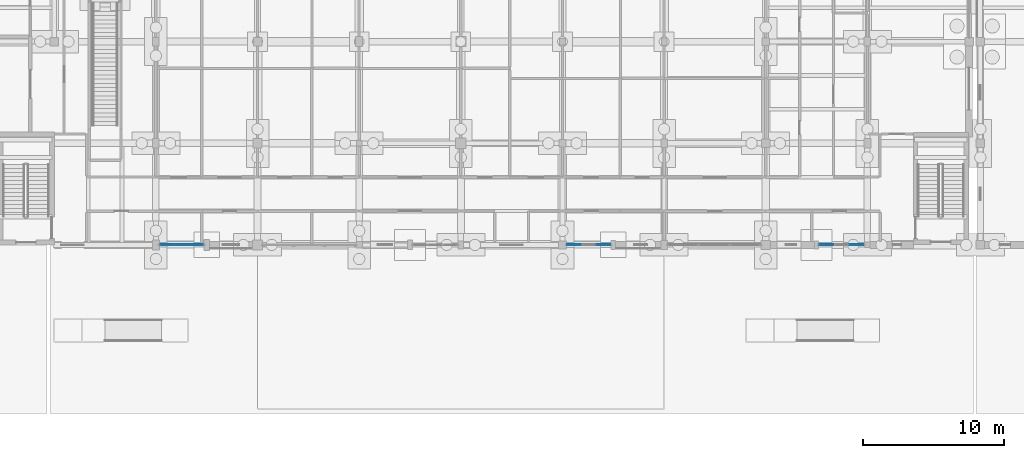
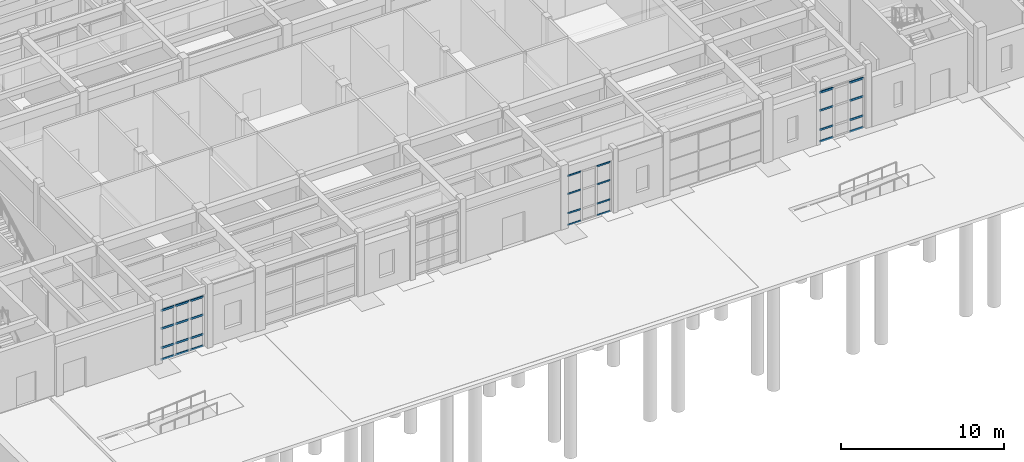
# One storey, part 76 of 143: 28 members, 3 elements without a shape of their own.
"""IFC4 building model written with IfcOpenShell, lengths in metres."""

from ifc_helpers import new_model, si_unit, direction, frame, origin, origin_2d, place, context, subcontext, project, spatial, rectangle, extrude, material, material_profile, profile_set, type_object, element, aggregate, save


model = new_model("IFC4")

# Units and contexts
model_context = context("Model", 3, precision=1e-05, world=origin(), true_north=direction((0.0, 1.0)))
body_context = subcontext(model_context, "Body", "Model", "MODEL_VIEW")
ifc_project = project(units=[si_unit("LENGTHUNIT", "METRE"), si_unit("AREAUNIT", "SQUARE_METRE"), si_unit("VOLUMEUNIT", "CUBIC_METRE"), si_unit("PLANEANGLEUNIT", "RADIAN"), si_unit("MASSUNIT", "GRAM", prefix="KILO")], contexts=[model_context])

# Site, building, storey
site_placement = place(None, origin())
site = spatial("IfcSite", under=ifc_project, at=site_placement, CompositionType="ELEMENT")
building_placement = place(site_placement, origin())
building = spatial("IfcBuilding", under=site, at=building_placement, Name="Steenspoor Specialist Clinic", CompositionType="ELEMENT")
storey_placement = place(building_placement, origin())
storey = spatial("IfcBuildingStorey", under=building, at=storey_placement, Name="L00", CompositionType="ELEMENT", Elevation=0.0)

# Curtain wall, members
ifc_material_1 = material(Name="Thermally broken aluminium and low-emissivity glass", Category="aluminium")
curtain_wall_type_1 = type_object("IfcCurtainWallType", Name="CW-HALL-480X820", PredefinedType="USERDEFINED", material=ifc_material_1)
curtain_wall_1_placement = place(storey_placement, origin())
curtain_wall_1 = element("IfcCurtainWall", 1, at=curtain_wall_1_placement, inside=storey, type_object=curtain_wall_type_1, Name="Unitised Curtain Wall CW-V1-L00-003", ObjectType="UNITISED GLAZING", PredefinedType="USERDEFINED")
ifc_material_2 = material(Name="Thermally broken aluminium 6063-T6", Category="aluminium")
ifc_material_profile_1 = material_profile(ifc_material_2, rectangle(XDim=0.06005859375, YDim=0.114990234375, at=origin_2d()), Name="CWT-60X115")
ifc_profile_set_1 = profile_set([ifc_material_profile_1], Name="Thermally broken aluminium 6063-T6")
member_type_1 = type_object("IfcMemberType", Name="CW-TRAN-60X115", PredefinedType="USERDEFINED", material=ifc_profile_set_1)
member_1_placement = place(storey_placement, frame((91.784912109375, 13.050048828125, 0.030029296875), z_axis=(-1.0, 0.0, 0.0), x_axis=(0.0, -1.0, 0.0)))
member_1 = element("IfcMember", 2, at=member_1_placement, type_object=member_type_1, Name="CW-03 transom 1.1", ObjectType="TRANSOM", PredefinedType="USERDEFINED", context=body_context, shape_type="SweptSolid", body=[
    extrude(rectangle(XDim=0.06005859375, YDim=0.114990234375, at=origin_2d()), origin(), (0.0, 0.0, 1.0), 0.960693359375),
])
member_2_placement = place(storey_placement, frame((91.784912109375, 13.050048828125, 0.89990234375), z_axis=(-1.0, 0.0, 0.0), x_axis=(0.0, -1.0, 0.0)))
member_2 = element("IfcMember", 3, at=member_2_placement, type_object=member_type_1, Name="CW-03 transom 1.2", ObjectType="TRANSOM", PredefinedType="USERDEFINED", context=body_context, shape_type="SweptSolid", body=[
    extrude(rectangle(XDim=0.06005859375, YDim=0.114990234375, at=origin_2d()), origin(), (0.0, 0.0, 1.0), 0.960693359375),
])
member_3_placement = place(storey_placement, frame((91.784912109375, 13.050048828125, 2.35009765625), z_axis=(-1.0, 0.0, 0.0), x_axis=(0.0, -1.0, 0.0)))
member_3 = element("IfcMember", 4, at=member_3_placement, type_object=member_type_1, Name="CW-03 transom 1.3", ObjectType="TRANSOM", PredefinedType="USERDEFINED", context=body_context, shape_type="SweptSolid", body=[
    extrude(rectangle(XDim=0.06005859375, YDim=0.114990234375, at=origin_2d()), origin(), (0.0, 0.0, 1.0), 0.960693359375),
])
member_4_placement = place(storey_placement, frame((91.784912109375, 13.050048828125, 3.699951171875), z_axis=(-1.0, 0.0, 0.0), x_axis=(0.0, -1.0, 0.0)))
member_4 = element("IfcMember", 5, at=member_4_placement, type_object=member_type_1, Name="CW-03 transom 1.4", ObjectType="TRANSOM", PredefinedType="USERDEFINED", context=body_context, shape_type="SweptSolid", body=[
    extrude(rectangle(XDim=0.06005859375, YDim=0.114990234375, at=origin_2d()), origin(), (0.0, 0.0, 1.0), 0.960693359375),
])
member_5_placement = place(storey_placement, frame((89.700927734375, 13.050048828125, 0.030029296875), z_axis=(-1.0, 0.0, 0.0), x_axis=(0.0, -1.0, 0.0)))
member_5 = element("IfcMember", 6, at=member_5_placement, type_object=member_type_1, Name="CW-03 transom 3.1", ObjectType="TRANSOM", PredefinedType="USERDEFINED", context=body_context, shape_type="SweptSolid", body=[
    extrude(rectangle(XDim=0.06005859375, YDim=0.114990234375, at=origin_2d()), origin(), (0.0, 0.0, 1.0), 0.9609375),
])
member_6_placement = place(storey_placement, frame((89.700927734375, 13.050048828125, 0.89990234375), z_axis=(-1.0, 0.0, 0.0), x_axis=(0.0, -1.0, 0.0)))
member_6 = element("IfcMember", 7, at=member_6_placement, type_object=member_type_1, Name="CW-03 transom 3.2", ObjectType="TRANSOM", PredefinedType="USERDEFINED", context=body_context, shape_type="SweptSolid", body=[
    extrude(rectangle(XDim=0.06005859375, YDim=0.114990234375, at=origin_2d()), origin(), (0.0, 0.0, 1.0), 0.9609375),
])
member_7_placement = place(storey_placement, frame((89.700927734375, 13.050048828125, 2.35009765625), z_axis=(-1.0, 0.0, 0.0), x_axis=(0.0, -1.0, 0.0)))
member_7 = element("IfcMember", 8, at=member_7_placement, type_object=member_type_1, Name="CW-03 transom 3.3", ObjectType="TRANSOM", PredefinedType="USERDEFINED", context=body_context, shape_type="SweptSolid", body=[
    extrude(rectangle(XDim=0.06005859375, YDim=0.114990234375, at=origin_2d()), origin(), (0.0, 0.0, 1.0), 0.9609375),
])
member_8_placement = place(storey_placement, frame((89.700927734375, 13.050048828125, 3.699951171875), z_axis=(-1.0, 0.0, 0.0), x_axis=(0.0, -1.0, 0.0)))
member_8 = element("IfcMember", 9, at=member_8_placement, type_object=member_type_1, Name="CW-03 transom 3.4", ObjectType="TRANSOM", PredefinedType="USERDEFINED", context=body_context, shape_type="SweptSolid", body=[
    extrude(rectangle(XDim=0.06005859375, YDim=0.114990234375, at=origin_2d()), origin(), (0.0, 0.0, 1.0), 0.9609375),
])
aggregate(curtain_wall_1, [member_1, member_2, member_3, member_4, member_5, member_6, member_7, member_8])

curtain_wall_type_2 = type_object("IfcCurtainWallType", Name="CW-HALL-660X820", PredefinedType="USERDEFINED", material=ifc_material_1)
curtain_wall_2_placement = place(storey_placement, origin())
curtain_wall_2 = element("IfcCurtainWall", 10, at=curtain_wall_2_placement, inside=storey, type_object=curtain_wall_type_2, Name="Unitised Curtain Wall CW-V1-L00-001", ObjectType="UNITISED GLAZING", PredefinedType="USERDEFINED")
ifc_material_profile_2 = material_profile(ifc_material_2, rectangle(XDim=0.070068359375, YDim=0.14501953125, at=origin_2d()), Name="CWT-70X145")
ifc_profile_set_2 = profile_set([ifc_material_profile_2], Name="Thermally broken aluminium 6063-T6")
member_type_2 = type_object("IfcMemberType", Name="CW-TRAN-70X145", PredefinedType="USERDEFINED", material=ifc_profile_set_2)
member_9_placement = place(storey_placement, frame((109.719970703125, 13.050048828125, 0.034912109375), z_axis=(-1.0, 0.0, 0.0), x_axis=(0.0, -1.0, 0.0)))
member_9 = element("IfcMember", 11, at=member_9_placement, type_object=member_type_2, Name="CW-01 transom 1.1", ObjectType="TRANSOM", PredefinedType="USERDEFINED", context=body_context, shape_type="SweptSolid", body=[
    extrude(rectangle(XDim=0.070068359375, YDim=0.14501953125, at=origin_2d()), origin(), (0.0, 0.0, 1.0), 0.966552734375),
])
member_10_placement = place(storey_placement, frame((109.719970703125, 13.050048828125, 0.89990234375), z_axis=(-1.0, 0.0, 0.0), x_axis=(0.0, -1.0, 0.0)))
member_10 = element("IfcMember", 12, at=member_10_placement, type_object=member_type_2, Name="CW-01 transom 1.2", ObjectType="TRANSOM", PredefinedType="USERDEFINED", context=body_context, shape_type="SweptSolid", body=[
    extrude(rectangle(XDim=0.070068359375, YDim=0.14501953125, at=origin_2d()), origin(), (0.0, 0.0, 1.0), 0.966552734375),
])
member_11_placement = place(storey_placement, frame((109.719970703125, 13.050048828125, 2.35009765625), z_axis=(-1.0, 0.0, 0.0), x_axis=(0.0, -1.0, 0.0)))
member_11 = element("IfcMember", 13, at=member_11_placement, type_object=member_type_2, Name="CW-01 transom 1.3", ObjectType="TRANSOM", PredefinedType="USERDEFINED", context=body_context, shape_type="SweptSolid", body=[
    extrude(rectangle(XDim=0.070068359375, YDim=0.14501953125, at=origin_2d()), origin(), (0.0, 0.0, 1.0), 0.966552734375),
])
member_12_placement = place(storey_placement, frame((109.719970703125, 13.050048828125, 3.695068359375), z_axis=(-1.0, 0.0, 0.0), x_axis=(0.0, -1.0, 0.0)))
member_12 = element("IfcMember", 14, at=member_12_placement, type_object=member_type_2, Name="CW-01 transom 1.4", ObjectType="TRANSOM", PredefinedType="USERDEFINED", context=body_context, shape_type="SweptSolid", body=[
    extrude(rectangle(XDim=0.070068359375, YDim=0.14501953125, at=origin_2d()), origin(), (0.0, 0.0, 1.0), 0.966552734375),
])
member_13_placement = place(storey_placement, frame((107.586669921875, 13.050048828125, 0.034912109375), z_axis=(-1.0, 0.0, 0.0), x_axis=(0.0, -1.0, 0.0)))
member_13 = element("IfcMember", 15, at=member_13_placement, type_object=member_type_2, Name="CW-01 transom 3.1", ObjectType="TRANSOM", PredefinedType="USERDEFINED", context=body_context, shape_type="SweptSolid", body=[
    extrude(rectangle(XDim=0.070068359375, YDim=0.14501953125, at=origin_2d()), origin(), (0.0, 0.0, 1.0), 0.966552734375),
])
member_14_placement = place(storey_placement, frame((107.586669921875, 13.050048828125, 0.89990234375), z_axis=(-1.0, 0.0, 0.0), x_axis=(0.0, -1.0, 0.0)))
member_14 = element("IfcMember", 16, at=member_14_placement, type_object=member_type_2, Name="CW-01 transom 3.2", ObjectType="TRANSOM", PredefinedType="USERDEFINED", context=body_context, shape_type="SweptSolid", body=[
    extrude(rectangle(XDim=0.070068359375, YDim=0.14501953125, at=origin_2d()), origin(), (0.0, 0.0, 1.0), 0.966552734375),
])
member_15_placement = place(storey_placement, frame((107.586669921875, 13.050048828125, 2.35009765625), z_axis=(-1.0, 0.0, 0.0), x_axis=(0.0, -1.0, 0.0)))
member_15 = element("IfcMember", 17, at=member_15_placement, type_object=member_type_2, Name="CW-01 transom 3.3", ObjectType="TRANSOM", PredefinedType="USERDEFINED", context=body_context, shape_type="SweptSolid", body=[
    extrude(rectangle(XDim=0.070068359375, YDim=0.14501953125, at=origin_2d()), origin(), (0.0, 0.0, 1.0), 0.966552734375),
])
member_16_placement = place(storey_placement, frame((107.586669921875, 13.050048828125, 3.695068359375), z_axis=(-1.0, 0.0, 0.0), x_axis=(0.0, -1.0, 0.0)))
member_16 = element("IfcMember", 18, at=member_16_placement, type_object=member_type_2, Name="CW-01 transom 3.4", ObjectType="TRANSOM", PredefinedType="USERDEFINED", context=body_context, shape_type="SweptSolid", body=[
    extrude(rectangle(XDim=0.070068359375, YDim=0.14501953125, at=origin_2d()), origin(), (0.0, 0.0, 1.0), 0.966552734375),
])
aggregate(curtain_wall_2, [member_9, member_10, member_11, member_12, member_13, member_14, member_15, member_16])

curtain_wall_type_3 = type_object("IfcCurtainWallType", Name="CW-L00-480X415", PredefinedType="USERDEFINED", material=ifc_material_1)
curtain_wall_3_placement = place(storey_placement, origin())
curtain_wall_3 = element("IfcCurtainWall", 19, at=curtain_wall_3_placement, inside=storey, type_object=curtain_wall_type_3, Name="Unitised Curtain Wall CW-V1-L00-006", ObjectType="UNITISED GLAZING", PredefinedType="USERDEFINED")
member_17_placement = place(storey_placement, frame((62.929931640625, 13.050048828125, 0.034912109375), z_axis=(-1.0, 0.0, 0.0), x_axis=(0.0, -1.0, 0.0)))
member_17 = element("IfcMember", 20, at=member_17_placement, type_object=member_type_2, Name="CW-06 transom 1.1", ObjectType="TRANSOM", PredefinedType="USERDEFINED", context=body_context, shape_type="SweptSolid", body=[
    extrude(rectangle(XDim=0.070068359375, YDim=0.14501953125, at=origin_2d()), origin(), (0.0, 0.0, 1.0), 0.933349609375),
])
member_18_placement = place(storey_placement, frame((62.929931640625, 13.050048828125, 0.89990234375), z_axis=(-1.0, 0.0, 0.0), x_axis=(0.0, -1.0, 0.0)))
member_18 = element("IfcMember", 21, at=member_18_placement, type_object=member_type_2, Name="CW-06 transom 1.2", ObjectType="TRANSOM", PredefinedType="USERDEFINED", context=body_context, shape_type="SweptSolid", body=[
    extrude(rectangle(XDim=0.070068359375, YDim=0.14501953125, at=origin_2d()), origin(), (0.0, 0.0, 1.0), 0.933349609375),
])
member_19_placement = place(storey_placement, frame((62.929931640625, 13.050048828125, 2.35009765625), z_axis=(-1.0, 0.0, 0.0), x_axis=(0.0, -1.0, 0.0)))
member_19 = element("IfcMember", 22, at=member_19_placement, type_object=member_type_2, Name="CW-06 transom 1.3", ObjectType="TRANSOM", PredefinedType="USERDEFINED", context=body_context, shape_type="SweptSolid", body=[
    extrude(rectangle(XDim=0.070068359375, YDim=0.14501953125, at=origin_2d()), origin(), (0.0, 0.0, 1.0), 0.933349609375),
])
member_20_placement = place(storey_placement, frame((62.929931640625, 13.050048828125, 3.695068359375), z_axis=(-1.0, 0.0, 0.0), x_axis=(0.0, -1.0, 0.0)))
member_20 = element("IfcMember", 23, at=member_20_placement, type_object=member_type_2, Name="CW-06 transom 1.4", ObjectType="TRANSOM", PredefinedType="USERDEFINED", context=body_context, shape_type="SweptSolid", body=[
    extrude(rectangle(XDim=0.070068359375, YDim=0.14501953125, at=origin_2d()), origin(), (0.0, 0.0, 1.0), 0.933349609375),
])
member_21_placement = place(storey_placement, frame((61.916748046875, 13.050048828125, 0.034912109375), z_axis=(-1.0, 0.0, 0.0), x_axis=(0.0, -1.0, 0.0)))
member_21 = element("IfcMember", 24, at=member_21_placement, type_object=member_type_2, Name="CW-06 transom 2.1", ObjectType="TRANSOM", PredefinedType="USERDEFINED", context=body_context, shape_type="SweptSolid", body=[
    extrude(rectangle(XDim=0.070068359375, YDim=0.14501953125, at=origin_2d()), origin(), (0.0, 0.0, 1.0), 0.973388671875),
])
member_22_placement = place(storey_placement, frame((61.916748046875, 13.050048828125, 0.89990234375), z_axis=(-1.0, 0.0, 0.0), x_axis=(0.0, -1.0, 0.0)))
member_22 = element("IfcMember", 25, at=member_22_placement, type_object=member_type_2, Name="CW-06 transom 2.2", ObjectType="TRANSOM", PredefinedType="USERDEFINED", context=body_context, shape_type="SweptSolid", body=[
    extrude(rectangle(XDim=0.070068359375, YDim=0.14501953125, at=origin_2d()), origin(), (0.0, 0.0, 1.0), 0.973388671875),
])
member_23_placement = place(storey_placement, frame((61.916748046875, 13.050048828125, 2.35009765625), z_axis=(-1.0, 0.0, 0.0), x_axis=(0.0, -1.0, 0.0)))
member_23 = element("IfcMember", 26, at=member_23_placement, type_object=member_type_2, Name="CW-06 transom 2.3", ObjectType="TRANSOM", PredefinedType="USERDEFINED", context=body_context, shape_type="SweptSolid", body=[
    extrude(rectangle(XDim=0.070068359375, YDim=0.14501953125, at=origin_2d()), origin(), (0.0, 0.0, 1.0), 0.973388671875),
])
member_24_placement = place(storey_placement, frame((61.916748046875, 13.050048828125, 3.695068359375), z_axis=(-1.0, 0.0, 0.0), x_axis=(0.0, -1.0, 0.0)))
member_24 = element("IfcMember", 27, at=member_24_placement, type_object=member_type_2, Name="CW-06 transom 2.4", ObjectType="TRANSOM", PredefinedType="USERDEFINED", context=body_context, shape_type="SweptSolid", body=[
    extrude(rectangle(XDim=0.070068359375, YDim=0.14501953125, at=origin_2d()), origin(), (0.0, 0.0, 1.0), 0.973388671875),
])
member_25_placement = place(storey_placement, frame((60.86328125, 13.050048828125, 0.034912109375), z_axis=(-1.0, 0.0, 0.0), x_axis=(0.0, -1.0, 0.0)))
member_25 = element("IfcMember", 28, at=member_25_placement, type_object=member_type_2, Name="CW-06 transom 3.1", ObjectType="TRANSOM", PredefinedType="USERDEFINED", context=body_context, shape_type="SweptSolid", body=[
    extrude(rectangle(XDim=0.070068359375, YDim=0.14501953125, at=origin_2d()), origin(), (0.0, 0.0, 1.0), 0.933349609375),
])
member_26_placement = place(storey_placement, frame((60.86328125, 13.050048828125, 0.89990234375), z_axis=(-1.0, 0.0, 0.0), x_axis=(0.0, -1.0, 0.0)))
member_26 = element("IfcMember", 29, at=member_26_placement, type_object=member_type_2, Name="CW-06 transom 3.2", ObjectType="TRANSOM", PredefinedType="USERDEFINED", context=body_context, shape_type="SweptSolid", body=[
    extrude(rectangle(XDim=0.070068359375, YDim=0.14501953125, at=origin_2d()), origin(), (0.0, 0.0, 1.0), 0.933349609375),
])
member_27_placement = place(storey_placement, frame((60.86328125, 13.050048828125, 2.35009765625), z_axis=(-1.0, 0.0, 0.0), x_axis=(0.0, -1.0, 0.0)))
member_27 = element("IfcMember", 30, at=member_27_placement, type_object=member_type_2, Name="CW-06 transom 3.3", ObjectType="TRANSOM", PredefinedType="USERDEFINED", context=body_context, shape_type="SweptSolid", body=[
    extrude(rectangle(XDim=0.070068359375, YDim=0.14501953125, at=origin_2d()), origin(), (0.0, 0.0, 1.0), 0.933349609375),
])
member_28_placement = place(storey_placement, frame((60.86328125, 13.050048828125, 3.695068359375), z_axis=(-1.0, 0.0, 0.0), x_axis=(0.0, -1.0, 0.0)))
member_28 = element("IfcMember", 31, at=member_28_placement, type_object=member_type_2, Name="CW-06 transom 3.4", ObjectType="TRANSOM", PredefinedType="USERDEFINED", context=body_context, shape_type="SweptSolid", body=[
    extrude(rectangle(XDim=0.070068359375, YDim=0.14501953125, at=origin_2d()), origin(), (0.0, 0.0, 1.0), 0.933349609375),
])
aggregate(curtain_wall_3, [member_17, member_18, member_19, member_20, member_21, member_22, member_23, member_24, member_25, member_26, member_27, member_28])

save(model, "model.ifc")
